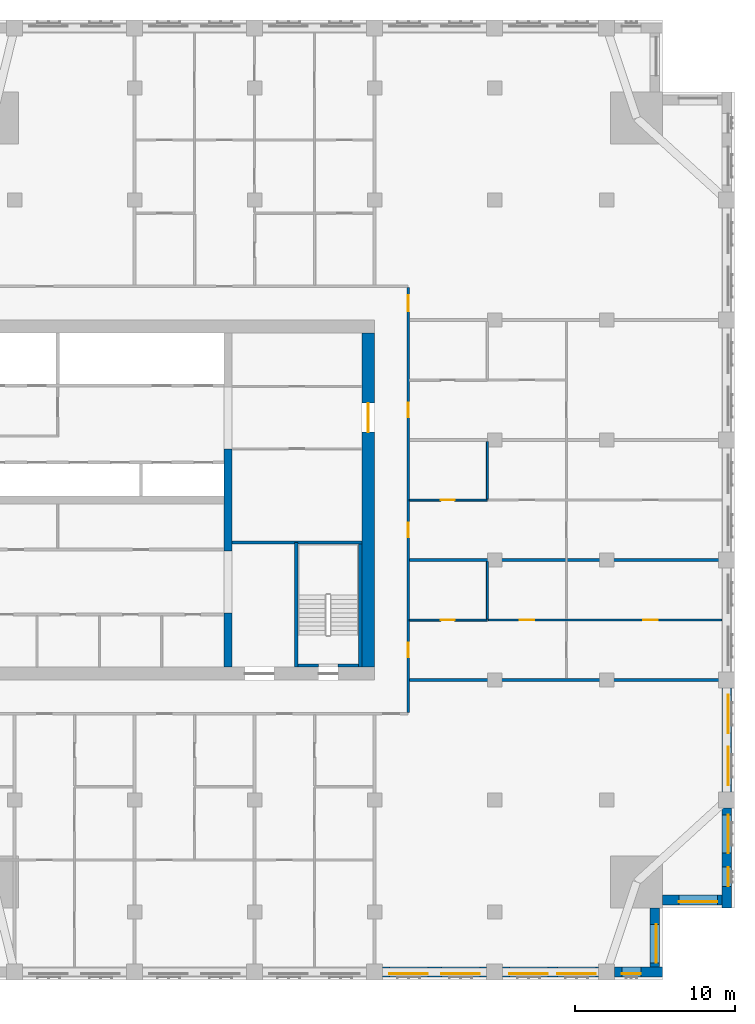
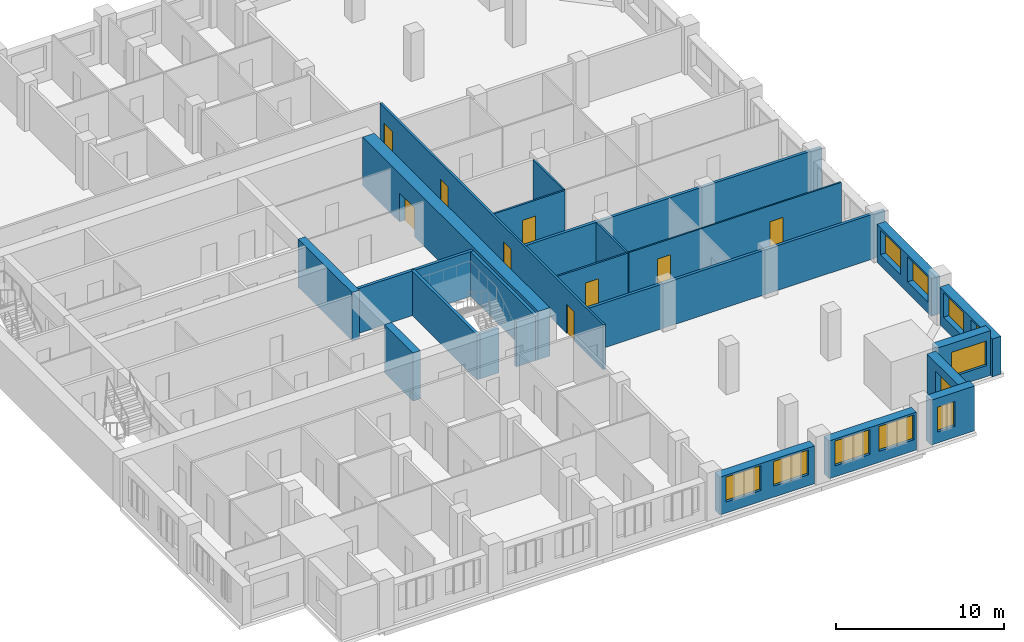
# One storey, part 8 of 14: 23 walls, 11 windows, 9 doors, 20 openings.
"""IFC4 building model written with IfcOpenShell, lengths in metres."""

from ifc_helpers import new_model, si_unit, direction, frame, frame_2d, origin, place, context, subcontext, project, spatial, rectangle, extrude, material, layer, layer_set, type_object, element, fill, save


model = new_model("IFC4")

# Units and contexts
model_context = context("Model", 3, precision=1e-05, world=origin(), true_north=direction((0.0, 1.0)))
body_context = subcontext(model_context, "Body", "Model", "MODEL_VIEW")
ifc_project = project(units=[si_unit("LENGTHUNIT", "METRE"), si_unit("AREAUNIT", "SQUARE_METRE"), si_unit("VOLUMEUNIT", "CUBIC_METRE"), si_unit("PLANEANGLEUNIT", "RADIAN"), si_unit("MASSUNIT", "GRAM", prefix="KILO")], contexts=[model_context])

# Site, building, storey
site_placement = place(None, origin())
site = spatial("IfcSite", under=ifc_project, at=site_placement, CompositionType="ELEMENT")
building_placement = place(site_placement, origin())
building = spatial("IfcBuilding", under=site, at=building_placement, Name="Tamorin Gate", CompositionType="ELEMENT")
storey_placement = place(building_placement, frame((0.0, 0.0, 186.199951171875)))
storey = spatial("IfcBuildingStorey", under=building, at=storey_placement, Name="L45", CompositionType="ELEMENT", Elevation=186.199951171875)

# Wall, openings, windows
ifc_material_1 = material(Name="Precast concrete C40/50", Category="concrete")
ifc_layer_1 = layer(ifc_material_1, 0.60009765625)
ifc_layer_set_1 = layer_set([ifc_layer_1], Name="Precast concrete C40/50")
wall_type_1 = type_object("IfcWallType", Name="Board-marked concrete facade panel 600", PredefinedType="SOLIDWALL", material=ifc_layer_set_1)
wall_1_placement = place(storey_placement, frame((60.5, 41.75, 0.0), z_axis=(0.0, 0.0, 1.0), x_axis=(1.0, 0.0, 0.0)))
wall_1 = element("IfcWall", 1, at=wall_1_placement, inside=storey, type_object=wall_type_1, Name="Facade panel", PredefinedType="SOLIDWALL", context=body_context, shape_type="SweptSolid", body=[
    extrude(rectangle(XDim=6.5, YDim=0.60009765625, at=frame_2d((3.25, 0.0))), origin(), (0.0, 0.0, 1.0), 2.75),
])
opening_1_placement = place(wall_1_placement, frame((0.425048828125, 0.0, 0.800048828125)))
opening_1 = element("IfcOpeningElement", 2, at=opening_1_placement, cuts=wall_1, Name="Opening WN1", PredefinedType="OPENING", context=body_context, shape_type="SweptSolid", body=[
    extrude(rectangle(XDim=2.39990234375, YDim=1.800048828125, at=frame_2d((1.199951171875, 0.89990234375))), frame((0.0, 0.31005859375, 0.0), z_axis=(0.0, -1.0, 0.0), x_axis=(1.0, 0.0, 0.0)), (0.0, 0.0, 1.0), 0.6201171875),
])
opening_2_placement = place(wall_1_placement, frame((3.675048828125, 0.0, 0.800048828125)))
opening_2 = element("IfcOpeningElement", 3, at=opening_2_placement, cuts=wall_1, Name="Opening WN1", PredefinedType="OPENING", context=body_context, shape_type="SweptSolid", body=[
    extrude(rectangle(XDim=2.39990234375, YDim=1.800048828125, at=frame_2d((1.199951171875, 0.89990234375))), frame((0.0, 0.31005859375, 0.0), z_axis=(0.0, -1.0, 0.0), x_axis=(1.0, 0.0, 0.0)), (0.0, 0.0, 1.0), 0.6201171875),
])
ifc_material_2 = material(Name="Clear glass in aluminium frame", Category="aluminium")
window_type_1 = type_object("IfcWindowType", Name="Deep-set window 2400x1800", PartitioningType="SINGLE_PANEL", PredefinedType="WINDOW", material=ifc_material_2)
window_1_placement = place(opening_1_placement, origin())
window_1 = element("IfcWindow", 4, at=window_1_placement, inside=storey, type_object=window_type_1, Name="Deep-set window", OverallHeight=1.800048828125, OverallWidth=2.39990234375, PartitioningType="SINGLE_PANEL", PredefinedType="WINDOW", context=body_context, shape_type="SweptSolid", body=[
    extrude(rectangle(XDim=2.39990234375, YDim=1.800048828125, at=frame_2d((1.199951171875, 0.89990234375))), frame((0.0, -0.070068359375, 0.0), z_axis=(0.0, -1.0, 0.0), x_axis=(1.0, 0.0, 0.0)), (0.0, 0.0, 1.0), 0.06005859375),
])
fill(opening_1, window_1)
window_2_placement = place(opening_2_placement, origin())
window_2 = element("IfcWindow", 5, at=window_2_placement, inside=storey, type_object=window_type_1, Name="Deep-set window", OverallHeight=1.800048828125, OverallWidth=2.39990234375, PartitioningType="SINGLE_PANEL", PredefinedType="WINDOW", context=body_context, shape_type="SweptSolid", body=[
    extrude(rectangle(XDim=2.39990234375, YDim=1.800048828125, at=frame_2d((1.199951171875, 0.89990234375))), frame((0.0, -0.070068359375, 0.0), z_axis=(0.0, -1.0, 0.0), x_axis=(1.0, 0.0, 0.0)), (0.0, 0.0, 1.0), 0.06005859375),
])
fill(opening_2, window_2)

wall_2_placement = place(storey_placement, frame((68.0, 41.75, 0.0), z_axis=(0.0, 0.0, 1.0), x_axis=(1.0, 0.0, 0.0)))
wall_2 = element("IfcWall", 6, at=wall_2_placement, inside=storey, type_object=wall_type_1, Name="Facade panel", PredefinedType="SOLIDWALL", context=body_context, shape_type="SweptSolid", body=[
    extrude(rectangle(XDim=6.0, YDim=0.60009765625, at=frame_2d((3.0, 0.0))), origin(), (0.0, 0.0, 1.0), 2.75),
])
opening_3_placement = place(wall_2_placement, frame((0.425048828125, 0.0, 0.800048828125)))
opening_3 = element("IfcOpeningElement", 7, at=opening_3_placement, cuts=wall_2, Name="Opening WN1", PredefinedType="OPENING", context=body_context, shape_type="SweptSolid", body=[
    extrude(rectangle(XDim=2.39990234375, YDim=1.800048828125, at=frame_2d((1.199951171875, 0.89990234375))), frame((0.0, 0.31005859375, 0.0), z_axis=(0.0, -1.0, 0.0), x_axis=(1.0, 0.0, 0.0)), (0.0, 0.0, 1.0), 0.6201171875),
])
opening_4_placement = place(wall_2_placement, frame((3.425048828125, 0.0, 0.800048828125)))
opening_4 = element("IfcOpeningElement", 8, at=opening_4_placement, cuts=wall_2, Name="Opening WN1", PredefinedType="OPENING", context=body_context, shape_type="SweptSolid", body=[
    extrude(rectangle(XDim=2.39990234375, YDim=1.800048828125, at=frame_2d((1.199951171875, 0.89990234375))), frame((0.0, 0.31005859375, 0.0), z_axis=(0.0, -1.0, 0.0), x_axis=(1.0, 0.0, 0.0)), (0.0, 0.0, 1.0), 0.6201171875),
])
window_3_placement = place(opening_3_placement, origin())
window_3 = element("IfcWindow", 9, at=window_3_placement, inside=storey, type_object=window_type_1, Name="Deep-set window", OverallHeight=1.800048828125, OverallWidth=2.39990234375, PartitioningType="SINGLE_PANEL", PredefinedType="WINDOW", context=body_context, shape_type="SweptSolid", body=[
    extrude(rectangle(XDim=2.39990234375, YDim=1.800048828125, at=frame_2d((1.199951171875, 0.89990234375))), frame((0.0, -0.070068359375, 0.0), z_axis=(0.0, -1.0, 0.0), x_axis=(1.0, 0.0, 0.0)), (0.0, 0.0, 1.0), 0.06005859375),
])
fill(opening_3, window_3)
window_4_placement = place(opening_4_placement, origin())
window_4 = element("IfcWindow", 10, at=window_4_placement, inside=storey, type_object=window_type_1, Name="Deep-set window", OverallHeight=1.800048828125, OverallWidth=2.39990234375, PartitioningType="SINGLE_PANEL", PredefinedType="WINDOW", context=body_context, shape_type="SweptSolid", body=[
    extrude(rectangle(XDim=2.39990234375, YDim=1.800048828125, at=frame_2d((1.199951171875, 0.89990234375))), frame((0.0, -0.070068359375, 0.0), z_axis=(0.0, -1.0, 0.0), x_axis=(1.0, 0.0, 0.0)), (0.0, 0.0, 1.0), 0.06005859375),
])
fill(opening_4, window_4)

# Wall, opening, window
wall_3_placement = place(storey_placement, frame((75.0, 41.75, 0.0), z_axis=(0.0, 0.0, 1.0), x_axis=(1.0, 0.0, 0.0)))
wall_3 = element("IfcWall", 11, at=wall_3_placement, inside=storey, type_object=wall_type_1, Name="Facade panel", PredefinedType="SOLIDWALL", context=body_context, shape_type="SweptSolid", body=[
    extrude(rectangle(XDim=3.0, YDim=0.60009765625, at=frame_2d((1.5, 0.0))), origin(), (0.0, 0.0, 1.0), 3.25),
])
opening_5_placement = place(wall_3_placement, frame((0.449951171875, 0.0, 0.800048828125)))
opening_5 = element("IfcOpeningElement", 12, at=opening_5_placement, cuts=wall_3, Name="Opening WN3", PredefinedType="OPENING", context=body_context, shape_type="SweptSolid", body=[
    extrude(rectangle(XDim=1.199951171875, YDim=1.800048828125, at=frame_2d((0.60009765625, 0.89990234375))), frame((0.0, 0.31005859375, 0.0), z_axis=(0.0, -1.0, 0.0), x_axis=(1.0, 0.0, 0.0)), (0.0, 0.0, 1.0), 0.6201171875),
])
window_type_2 = type_object("IfcWindowType", Name="Deep-set window 1200x1800", PartitioningType="SINGLE_PANEL", PredefinedType="WINDOW", material=ifc_material_2)
window_5_placement = place(opening_5_placement, origin())
window_5 = element("IfcWindow", 13, at=window_5_placement, inside=storey, type_object=window_type_2, Name="Deep-set window", OverallHeight=1.800048828125, OverallWidth=1.199951171875, PartitioningType="SINGLE_PANEL", PredefinedType="WINDOW", context=body_context, shape_type="SweptSolid", body=[
    extrude(rectangle(XDim=1.199951171875, YDim=1.800048828125, at=frame_2d((0.60009765625, 0.89990234375))), frame((0.0, -0.070068359375, 0.0), z_axis=(0.0, -1.0, 0.0), x_axis=(1.0, 0.0, 0.0)), (0.0, 0.0, 1.0), 0.06005859375),
])
fill(opening_5, window_5)

wall_4_placement = place(storey_placement, frame((77.5, 42.050048828125, 0.0), z_axis=(0.0, 0.0, 1.0), x_axis=(0.0, 1.0, 0.0)))
wall_4 = element("IfcWall", 14, at=wall_4_placement, inside=storey, type_object=wall_type_1, Name="Facade panel", PredefinedType="SOLIDWALL", context=body_context, shape_type="SweptSolid", body=[
    extrude(rectangle(XDim=3.699951171875, YDim=0.60009765625, at=frame_2d((1.85009765625, 0.0))), origin(), (0.0, 0.0, 1.0), 3.25),
])
opening_6_placement = place(wall_4_placement, frame((0.27490234375, 0.0, 0.800048828125)))
opening_6 = element("IfcOpeningElement", 15, at=opening_6_placement, cuts=wall_4, Name="Opening WN1", PredefinedType="OPENING", context=body_context, shape_type="SweptSolid", body=[
    extrude(rectangle(XDim=2.39990234375, YDim=1.800048828125, at=frame_2d((1.199951171875, 0.89990234375))), frame((0.0, 0.31005859375, 0.0), z_axis=(0.0, -1.0, 0.0), x_axis=(1.0, 0.0, 0.0)), (0.0, 0.0, 1.0), 0.6201171875),
])
window_6_placement = place(opening_6_placement, origin())
window_6 = element("IfcWindow", 16, at=window_6_placement, inside=storey, type_object=window_type_1, Name="Deep-set window", OverallHeight=1.800048828125, OverallWidth=2.39990234375, PartitioningType="SINGLE_PANEL", PredefinedType="WINDOW", context=body_context, shape_type="SweptSolid", body=[
    extrude(rectangle(XDim=2.39990234375, YDim=1.800048828125, at=frame_2d((1.199951171875, 0.89990234375))), frame((0.0, -0.070068359375, 0.0), z_axis=(0.0, -1.0, 0.0), x_axis=(1.0, 0.0, 0.0)), (0.0, 0.0, 1.0), 0.06005859375),
])
fill(opening_6, window_6)

wall_5_placement = place(storey_placement, frame((78.0, 46.25, 0.0), z_axis=(0.0, 0.0, 1.0), x_axis=(1.0, 0.0, 0.0)))
wall_5 = element("IfcWall", 17, at=wall_5_placement, inside=storey, type_object=wall_type_1, Name="Facade panel", PredefinedType="SOLIDWALL", context=body_context, shape_type="SweptSolid", body=[
    extrude(rectangle(XDim=3.699951171875, YDim=0.60009765625, at=frame_2d((1.85009765625, 0.0))), origin(), (0.0, 0.0, 1.0), 3.25),
])
opening_7_placement = place(wall_5_placement, frame((1.02490234375, 0.0, 0.800048828125)))
opening_7 = element("IfcOpeningElement", 18, at=opening_7_placement, cuts=wall_5, Name="Opening WN1", PredefinedType="OPENING", context=body_context, shape_type="SweptSolid", body=[
    extrude(rectangle(XDim=2.39990234375, YDim=1.800048828125, at=frame_2d((1.199951171875, 0.89990234375))), frame((0.0, 0.31005859375, 0.0), z_axis=(0.0, -1.0, 0.0), x_axis=(1.0, 0.0, 0.0)), (0.0, 0.0, 1.0), 0.6201171875),
])
window_7_placement = place(opening_7_placement, origin())
window_7 = element("IfcWindow", 19, at=window_7_placement, inside=storey, type_object=window_type_1, Name="Deep-set window", OverallHeight=1.800048828125, OverallWidth=2.39990234375, PartitioningType="SINGLE_PANEL", PredefinedType="WINDOW", context=body_context, shape_type="SweptSolid", body=[
    extrude(rectangle(XDim=2.39990234375, YDim=1.800048828125, at=frame_2d((1.199951171875, 0.89990234375))), frame((0.0, -0.070068359375, 0.0), z_axis=(0.0, -1.0, 0.0), x_axis=(1.0, 0.0, 0.0)), (0.0, 0.0, 1.0), 0.06005859375),
])
fill(opening_7, window_7)

# Wall, openings, windows
wall_6_placement = place(storey_placement, frame((82.0, 45.75, 0.0), z_axis=(0.0, 0.0, 1.0), x_axis=(0.0, 1.0, 0.0)))
wall_6 = element("IfcWall", 20, at=wall_6_placement, inside=storey, type_object=wall_type_1, Name="Facade panel", PredefinedType="SOLIDWALL", context=body_context, shape_type="SweptSolid", body=[
    extrude(rectangle(XDim=6.25, YDim=0.60009765625, at=frame_2d((3.125, 0.0))), origin(), (0.0, 0.0, 1.0), 2.75),
])
opening_8_placement = place(wall_6_placement, frame((1.35009765625, 0.0, 0.800048828125)))
opening_8 = element("IfcOpeningElement", 21, at=opening_8_placement, cuts=wall_6, Name="Opening WN3", PredefinedType="OPENING", context=body_context, shape_type="SweptSolid", body=[
    extrude(rectangle(XDim=1.199951171875, YDim=1.800048828125, at=frame_2d((0.60009765625, 0.89990234375))), frame((0.0, 0.31005859375, 0.0), z_axis=(0.0, -1.0, 0.0), x_axis=(1.0, 0.0, 0.0)), (0.0, 0.0, 1.0), 0.6201171875),
])
opening_9_placement = place(wall_6_placement, frame((3.425048828125, 0.0, 0.800048828125)))
opening_9 = element("IfcOpeningElement", 22, at=opening_9_placement, cuts=wall_6, Name="Opening WN1", PredefinedType="OPENING", context=body_context, shape_type="SweptSolid", body=[
    extrude(rectangle(XDim=2.39990234375, YDim=1.800048828125, at=frame_2d((1.199951171875, 0.89990234375))), frame((0.0, 0.31005859375, 0.0), z_axis=(0.0, -1.0, 0.0), x_axis=(1.0, 0.0, 0.0)), (0.0, 0.0, 1.0), 0.6201171875),
])
window_8_placement = place(opening_8_placement, origin())
window_8 = element("IfcWindow", 23, at=window_8_placement, inside=storey, type_object=window_type_2, Name="Deep-set window", OverallHeight=1.800048828125, OverallWidth=1.199951171875, PartitioningType="SINGLE_PANEL", PredefinedType="WINDOW", context=body_context, shape_type="SweptSolid", body=[
    extrude(rectangle(XDim=1.199951171875, YDim=1.800048828125, at=frame_2d((0.60009765625, 0.89990234375))), frame((0.0, -0.070068359375, 0.0), z_axis=(0.0, -1.0, 0.0), x_axis=(1.0, 0.0, 0.0)), (0.0, 0.0, 1.0), 0.06005859375),
])
fill(opening_8, window_8)
window_9_placement = place(opening_9_placement, origin())
window_9 = element("IfcWindow", 24, at=window_9_placement, inside=storey, type_object=window_type_1, Name="Deep-set window", OverallHeight=1.800048828125, OverallWidth=2.39990234375, PartitioningType="SINGLE_PANEL", PredefinedType="WINDOW", context=body_context, shape_type="SweptSolid", body=[
    extrude(rectangle(XDim=2.39990234375, YDim=1.800048828125, at=frame_2d((1.199951171875, 0.89990234375))), frame((0.0, -0.070068359375, 0.0), z_axis=(0.0, -1.0, 0.0), x_axis=(1.0, 0.0, 0.0)), (0.0, 0.0, 1.0), 0.06005859375),
])
fill(opening_9, window_9)

wall_7_placement = place(storey_placement, frame((82.0, 53.0, 0.0), z_axis=(0.0, 0.0, 1.0), x_axis=(0.0, 1.0, 0.0)))
wall_7 = element("IfcWall", 25, at=wall_7_placement, inside=storey, type_object=wall_type_1, Name="Facade panel", PredefinedType="SOLIDWALL", context=body_context, shape_type="SweptSolid", body=[
    extrude(rectangle(XDim=6.5, YDim=0.60009765625, at=frame_2d((3.25, 0.0))), origin(), (0.0, 0.0, 1.0), 2.75),
])
opening_10_placement = place(wall_7_placement, frame((0.425048828125, 0.0, 0.800048828125)))
opening_10 = element("IfcOpeningElement", 26, at=opening_10_placement, cuts=wall_7, Name="Opening WN1", PredefinedType="OPENING", context=body_context, shape_type="SweptSolid", body=[
    extrude(rectangle(XDim=2.39990234375, YDim=1.800048828125, at=frame_2d((1.199951171875, 0.89990234375))), frame((0.0, 0.31005859375, 0.0), z_axis=(0.0, -1.0, 0.0), x_axis=(1.0, 0.0, 0.0)), (0.0, 0.0, 1.0), 0.6201171875),
])
opening_11_placement = place(wall_7_placement, frame((3.675048828125, 0.0, 0.800048828125)))
opening_11 = element("IfcOpeningElement", 27, at=opening_11_placement, cuts=wall_7, Name="Opening WN1", PredefinedType="OPENING", context=body_context, shape_type="SweptSolid", body=[
    extrude(rectangle(XDim=2.39990234375, YDim=1.800048828125, at=frame_2d((1.199951171875, 0.89990234375))), frame((0.0, 0.31005859375, 0.0), z_axis=(0.0, -1.0, 0.0), x_axis=(1.0, 0.0, 0.0)), (0.0, 0.0, 1.0), 0.6201171875),
])
window_10_placement = place(opening_10_placement, origin())
window_10 = element("IfcWindow", 28, at=window_10_placement, inside=storey, type_object=window_type_1, Name="Deep-set window", OverallHeight=1.800048828125, OverallWidth=2.39990234375, PartitioningType="SINGLE_PANEL", PredefinedType="WINDOW", context=body_context, shape_type="SweptSolid", body=[
    extrude(rectangle(XDim=2.39990234375, YDim=1.800048828125, at=frame_2d((1.199951171875, 0.89990234375))), frame((0.0, -0.070068359375, 0.0), z_axis=(0.0, -1.0, 0.0), x_axis=(1.0, 0.0, 0.0)), (0.0, 0.0, 1.0), 0.06005859375),
])
fill(opening_10, window_10)
window_11_placement = place(opening_11_placement, origin())
window_11 = element("IfcWindow", 29, at=window_11_placement, inside=storey, type_object=window_type_1, Name="Deep-set window", OverallHeight=1.800048828125, OverallWidth=2.39990234375, PartitioningType="SINGLE_PANEL", PredefinedType="WINDOW", context=body_context, shape_type="SweptSolid", body=[
    extrude(rectangle(XDim=2.39990234375, YDim=1.800048828125, at=frame_2d((1.199951171875, 0.89990234375))), frame((0.0, -0.070068359375, 0.0), z_axis=(0.0, -1.0, 0.0), x_axis=(1.0, 0.0, 0.0)), (0.0, 0.0, 1.0), 0.06005859375),
])
fill(opening_11, window_11)

# Wall, openings, doors
ifc_material_3 = material(Name="Gypsum board partition")
ifc_layer_2 = layer(ifc_material_3, 0.14990234375)
ifc_layer_set_2 = layer_set([ifc_layer_2], Name="Corridor wall 150")
wall_type_2 = type_object("IfcWallType", Name="Corridor wall 150", PredefinedType="PARTITIONING", material=ifc_layer_set_2)
wall_8_placement = place(storey_placement, frame((62.10009765625, 57.97509765625, 0.0), z_axis=(0.0, 0.0, 1.0), x_axis=(0.0, 1.0, 0.0)))
wall_8 = element("IfcWall", 30, at=wall_8_placement, inside=storey, type_object=wall_type_2, Name="Corridor wall 150", PredefinedType="PARTITIONING", context=body_context, shape_type="SweptSolid", body=[
    extrude(rectangle(XDim=26.5498046875, YDim=0.14990234375, at=frame_2d((13.27490234375, 0.0))), origin(), (0.0, 0.0, 1.0), 3.25),
])
opening_12_placement = place(wall_8_placement, frame((25.074951171875, 0.0, 0.0)))
opening_12 = element("IfcOpeningElement", 31, at=opening_12_placement, cuts=wall_8, Name="Opening DR3033", PredefinedType="OPENING", context=body_context, shape_type="SweptSolid", body=[
    extrude(rectangle(XDim=1.0, YDim=2.10009765625, at=frame_2d((0.5, 1.050048828125))), frame((0.0, 0.0849609375, 0.0), z_axis=(0.0, -1.0, 0.0), x_axis=(1.0, 0.0, 0.0)), (0.0, 0.0, 1.0), 0.169921875),
])
opening_13_placement = place(wall_8_placement, frame((3.449951171875, 0.0, 0.0)))
opening_13 = element("IfcOpeningElement", 32, at=opening_13_placement, cuts=wall_8, Name="Opening DR3034", PredefinedType="OPENING", context=body_context, shape_type="SweptSolid", body=[
    extrude(rectangle(XDim=0.89990234375, YDim=2.10009765625, at=frame_2d((0.449951171875, 1.050048828125))), frame((0.0, 0.0849609375, 0.0), z_axis=(0.0, -1.0, 0.0), x_axis=(1.0, 0.0, 0.0)), (0.0, 0.0, 1.0), 0.169921875),
])
opening_14_placement = place(wall_8_placement, frame((10.949951171875, 0.0, 0.0)))
opening_14 = element("IfcOpeningElement", 33, at=opening_14_placement, cuts=wall_8, Name="Opening DR3039", PredefinedType="OPENING", context=body_context, shape_type="SweptSolid", body=[
    extrude(rectangle(XDim=0.89990234375, YDim=2.10009765625, at=frame_2d((0.449951171875, 1.050048828125))), frame((0.0, 0.0849609375, 0.0), z_axis=(0.0, -1.0, 0.0), x_axis=(1.0, 0.0, 0.0)), (0.0, 0.0, 1.0), 0.169921875),
])
opening_15_placement = place(wall_8_placement, frame((18.449951171875, 0.0, 0.0)))
opening_15 = element("IfcOpeningElement", 34, at=opening_15_placement, cuts=wall_8, Name="Opening DR3044", PredefinedType="OPENING", context=body_context, shape_type="SweptSolid", body=[
    extrude(rectangle(XDim=0.89990234375, YDim=2.10009765625, at=frame_2d((0.449951171875, 1.050048828125))), frame((0.0, 0.0849609375, 0.0), z_axis=(0.0, -1.0, 0.0), x_axis=(1.0, 0.0, 0.0)), (0.0, 0.0, 1.0), 0.169921875),
])
ifc_material_4 = material(Name="Timber door leaf", Category="wood")
door_type_1 = type_object("IfcDoorType", Name="Door 1000 x 2100 FD30S", OperationType="NOTDEFINED", PredefinedType="DOOR", material=ifc_material_4)
door_1_placement = place(opening_12_placement, origin())
door_1 = element("IfcDoor", 35, at=door_1_placement, inside=storey, type_object=door_type_1, Name="Door DR3033", OperationType="SINGLE_SWING_RIGHT", OverallHeight=2.10009765625, OverallWidth=1.0, PredefinedType="DOOR", context=body_context, shape_type="SweptSolid", body=[
    extrude(rectangle(XDim=1.0, YDim=2.10009765625, at=frame_2d((0.5, 1.050048828125))), frame((0.0, 0.02490234375, 0.0), z_axis=(0.0, -1.0, 0.0), x_axis=(1.0, 0.0, 0.0)), (0.0, 0.0, 1.0), 0.050048828125),
])
fill(opening_12, door_1)
door_type_2 = type_object("IfcDoorType", Name="Door 900 x 2100 FD30S", OperationType="NOTDEFINED", PredefinedType="DOOR", material=ifc_material_4)
door_2_placement = place(opening_13_placement, origin())
door_2 = element("IfcDoor", 36, at=door_2_placement, inside=storey, type_object=door_type_2, Name="Door DR3034", OperationType="SINGLE_SWING_RIGHT", OverallHeight=2.10009765625, OverallWidth=0.89990234375, PredefinedType="DOOR", context=body_context, shape_type="SweptSolid", body=[
    extrude(rectangle(XDim=0.89990234375, YDim=2.10009765625, at=frame_2d((0.449951171875, 1.050048828125))), frame((0.0, 0.02490234375, 0.0), z_axis=(0.0, -1.0, 0.0), x_axis=(1.0, 0.0, 0.0)), (0.0, 0.0, 1.0), 0.050048828125),
])
fill(opening_13, door_2)
door_3_placement = place(opening_14_placement, origin())
door_3 = element("IfcDoor", 37, at=door_3_placement, inside=storey, type_object=door_type_2, Name="Door DR3039", OperationType="SINGLE_SWING_RIGHT", OverallHeight=2.10009765625, OverallWidth=0.89990234375, PredefinedType="DOOR", context=body_context, shape_type="SweptSolid", body=[
    extrude(rectangle(XDim=0.89990234375, YDim=2.10009765625, at=frame_2d((0.449951171875, 1.050048828125))), frame((0.0, 0.02490234375, 0.0), z_axis=(0.0, -1.0, 0.0), x_axis=(1.0, 0.0, 0.0)), (0.0, 0.0, 1.0), 0.050048828125),
])
fill(opening_14, door_3)
door_4_placement = place(opening_15_placement, origin())
door_4 = element("IfcDoor", 38, at=door_4_placement, inside=storey, type_object=door_type_2, Name="Door DR3044", OperationType="SINGLE_SWING_RIGHT", OverallHeight=2.10009765625, OverallWidth=0.89990234375, PredefinedType="DOOR", context=body_context, shape_type="SweptSolid", body=[
    extrude(rectangle(XDim=0.89990234375, YDim=2.10009765625, at=frame_2d((0.449951171875, 1.050048828125))), frame((0.0, 0.02490234375, 0.0), z_axis=(0.0, -1.0, 0.0), x_axis=(1.0, 0.0, 0.0)), (0.0, 0.0, 1.0), 0.050048828125),
])
fill(opening_15, door_4)

# Walls
ifc_layer_3 = layer(ifc_material_3, 0.199951171875)
ifc_layer_set_3 = layer_set([ifc_layer_3], Name="Demising wall 200")
wall_type_3 = type_object("IfcWallType", Name="Demising wall 200", PredefinedType="PARTITIONING", material=ifc_layer_set_3)
for number, where, z_axis, x_axis, name in (
    (39, (62.175048828125, 60.0, 0.0), (0.0, 0.0, 1.0), (1.0, 0.0, 0.0), "Demising wall 200"),
    (40, (62.175048828125, 67.5, 0.0), (0.0, 0.0, 1.0), (1.0, 0.0, 0.0), "Demising wall 200"),
):
    element("IfcWall", number, at=place(storey_placement, frame(where, z_axis=z_axis, x_axis=x_axis)), inside=storey, type_object=wall_type_3, Name=name, PredefinedType="PARTITIONING", context=body_context, shape_type="SweptSolid", body=[
        extrude(rectangle(XDim=20.324951171875, YDim=0.199951171875, at=frame_2d((10.16259765625, 0.0))), origin(), (0.0, 0.0, 1.0), 3.25),
    ])
ifc_material_5 = material(Name="Concrete C60/75", Category="concrete")
ifc_layer_4 = layer(ifc_material_5, 0.5)
ifc_layer_set_4 = layer_set([ifc_layer_4], Name="RC core internal wall 500 C60/75")
wall_type_4 = type_object("IfcWallType", Name="RC core internal wall 500 C60/75", PredefinedType="SHEAR", material=ifc_layer_set_4)
wall_9_placement = place(storey_placement, frame((50.85009765625, 60.800048828125, 0.0), z_axis=(0.0, 0.0, 1.0), x_axis=(0.0, 1.0, 0.0)))
element("IfcWall", 41, at=wall_9_placement, inside=storey, type_object=wall_type_4, Name="Core cross wall L45", PredefinedType="SHEAR", context=body_context, shape_type="SweptSolid", body=[
    extrude(rectangle(XDim=3.39990234375, YDim=0.5, at=frame_2d((1.699951171875, 0.0))), origin(), (0.0, 0.0, 1.0), 3.5),
])
wall_10_placement = place(storey_placement, frame((50.85009765625, 68.050048828125, 0.0), z_axis=(0.0, 0.0, 1.0), x_axis=(0.0, 1.0, 0.0)))
element("IfcWall", 42, at=wall_10_placement, inside=storey, type_object=wall_type_4, Name="Core cross wall L45", PredefinedType="SHEAR", context=body_context, shape_type="SweptSolid", body=[
    extrude(rectangle(XDim=6.39990234375, YDim=0.5, at=frame_2d((3.199951171875, 0.0))), origin(), (0.0, 0.0, 1.0), 3.5),
])

# Wall, opening, door
ifc_layer_5 = layer(ifc_material_5, 0.800048828125)
ifc_layer_set_5 = layer_set([ifc_layer_5], Name="RC core wall 800 C60/75")
wall_type_5 = type_object("IfcWallType", Name="RC core wall 800 C60/75", PredefinedType="SHEAR", material=ifc_layer_set_5)
wall_11_placement = place(storey_placement, frame((59.60009765625, 60.800048828125, 0.0), z_axis=(0.0, 0.0, 1.0), x_axis=(0.0, 1.0, 0.0)))
wall_11 = element("IfcWall", 43, at=wall_11_placement, inside=storey, type_object=wall_type_5, Name="Core wall L45", PredefinedType="SHEAR", context=body_context, shape_type="SweptSolid", body=[
    extrude(rectangle(XDim=20.89990234375, YDim=0.800048828125, at=frame_2d((10.449951171875, 0.0))), origin(), (0.0, 0.0, 1.0), 3.5),
])
opening_16_placement = place(wall_11_placement, frame((14.699951171875, 0.0, 0.0)))
opening_16 = element("IfcOpeningElement", 44, at=opening_16_placement, cuts=wall_11, Name="Opening DE1", PredefinedType="OPENING", context=body_context, shape_type="SweptSolid", body=[
    extrude(rectangle(XDim=1.800048828125, YDim=2.10009765625, at=frame_2d((0.89990234375, 1.050048828125))), frame((0.0, 0.409912109375, 0.0), z_axis=(0.0, -1.0, 0.0), x_axis=(1.0, 0.0, 0.0)), (0.0, 0.0, 1.0), 0.820068359375),
])
ifc_material_6 = material(Name="Steel fire door", Category="steel")
door_type_3 = type_object("IfcDoorType", Name="Lobby exit double door 1800 x 2100 EI 60", OperationType="DOUBLE_DOOR_SINGLE_SWING", PredefinedType="DOOR", material=ifc_material_6)
door_5_placement = place(opening_16_placement, origin())
door_5 = element("IfcDoor", 45, at=door_5_placement, inside=storey, type_object=door_type_3, Name="Lift lobby B exit door", OperationType="DOUBLE_DOOR_SINGLE_SWING", OverallHeight=2.10009765625, OverallWidth=1.800048828125, PredefinedType="DOOR", context=body_context, shape_type="SweptSolid", body=[
    extrude(rectangle(XDim=1.800048828125, YDim=2.10009765625, at=frame_2d((0.89990234375, 1.050048828125))), frame((0.0, 0.02490234375, 0.0), z_axis=(0.0, -1.0, 0.0), x_axis=(1.0, 0.0, 0.0)), (0.0, 0.0, 1.0), 0.050048828125),
])
fill(opening_16, door_5)

# Wall, openings, doors
ifc_layer_6 = layer(ifc_material_3, 0.10009765625)
ifc_layer_set_6 = layer_set([ifc_layer_6], Name="Room partition 100")
wall_type_6 = type_object("IfcWallType", Name="Room partition 100", PredefinedType="PARTITIONING", material=ifc_layer_set_6)
wall_12_placement = place(storey_placement, frame((67.112548828125, 63.75, 0.0), z_axis=(0.0, 0.0, 1.0), x_axis=(1.0, 0.0, 0.0)))
wall_12 = element("IfcWall", 46, at=wall_12_placement, inside=storey, type_object=wall_type_6, Name="Room partition 100", PredefinedType="PARTITIONING", context=body_context, shape_type="SweptSolid", body=[
    extrude(rectangle(XDim=14.577392578125, YDim=0.10009765625, at=frame_2d((7.28857421875, 0.0))), origin(), (0.0, 0.0, 1.0), 3.25),
])
opening_17_placement = place(wall_12_placement, frame((1.96240234375, 0.0, 0.0)))
opening_17 = element("IfcOpeningElement", 47, at=opening_17_placement, cuts=wall_12, Name="Opening DR3036", PredefinedType="OPENING", context=body_context, shape_type="SweptSolid", body=[
    extrude(rectangle(XDim=0.89990234375, YDim=2.10009765625, at=frame_2d((0.449951171875, 1.050048828125))), frame((0.0, 0.06005859375, 0.0), z_axis=(0.0, -1.0, 0.0), x_axis=(1.0, 0.0, 0.0)), (0.0, 0.0, 1.0), 0.1201171875),
])
opening_18_placement = place(wall_12_placement, frame((9.6875, 0.0, 0.0)))
opening_18 = element("IfcOpeningElement", 48, at=opening_18_placement, cuts=wall_12, Name="Opening DR3038", PredefinedType="OPENING", context=body_context, shape_type="SweptSolid", body=[
    extrude(rectangle(XDim=0.89990234375, YDim=2.10009765625, at=frame_2d((0.449951171875, 1.050048828125))), frame((0.0, 0.06005859375, 0.0), z_axis=(0.0, -1.0, 0.0), x_axis=(1.0, 0.0, 0.0)), (0.0, 0.0, 1.0), 0.1201171875),
])
door_type_4 = type_object("IfcDoorType", Name="Door 900 x 2100", OperationType="NOTDEFINED", PredefinedType="DOOR", material=ifc_material_4)
door_6_placement = place(opening_17_placement, origin())
door_6 = element("IfcDoor", 49, at=door_6_placement, inside=storey, type_object=door_type_4, Name="Door DR3036", OperationType="SINGLE_SWING_LEFT", OverallHeight=2.10009765625, OverallWidth=0.89990234375, PredefinedType="DOOR", context=body_context, shape_type="SweptSolid", body=[
    extrude(rectangle(XDim=0.89990234375, YDim=2.10009765625, at=frame_2d((0.449951171875, 1.050048828125))), frame((0.0, 0.02490234375, 0.0), z_axis=(0.0, -1.0, 0.0), x_axis=(1.0, 0.0, 0.0)), (0.0, 0.0, 1.0), 0.050048828125),
])
fill(opening_17, door_6)
door_7_placement = place(opening_18_placement, origin())
door_7 = element("IfcDoor", 50, at=door_7_placement, inside=storey, type_object=door_type_4, Name="Door DR3038", OperationType="SINGLE_SWING_RIGHT", OverallHeight=2.10009765625, OverallWidth=0.89990234375, PredefinedType="DOOR", context=body_context, shape_type="SweptSolid", body=[
    extrude(rectangle(XDim=0.89990234375, YDim=2.10009765625, at=frame_2d((0.449951171875, 1.050048828125))), frame((0.0, 0.02490234375, 0.0), z_axis=(0.0, -1.0, 0.0), x_axis=(1.0, 0.0, 0.0)), (0.0, 0.0, 1.0), 0.050048828125),
])
fill(opening_18, door_7)

# Walls
ifc_material_7 = material(Name="Concrete C40/50", Category="concrete")
ifc_layer_7 = layer(ifc_material_7, 0.199951171875)
ifc_layer_set_7 = layer_set([ifc_layer_7], Name="Stair enclosure wall 200 EI 120 C40/50")
wall_type_7 = type_object("IfcWallType", Name="Stair enclosure wall 200 EI 120 C40/50", PredefinedType="SOLIDWALL", material=ifc_layer_set_7)
wall_13_placement = place(storey_placement, frame((55.10009765625, 60.800048828125, 0.0), z_axis=(0.0, 0.0, 1.0), x_axis=(0.0, 1.0, 0.0)))
element("IfcWall", 51, at=wall_13_placement, inside=storey, type_object=wall_type_7, Name="Stair enclosure wall", PredefinedType="SOLIDWALL", context=body_context, shape_type="SweptSolid", body=[
    extrude(rectangle(XDim=7.800048828125, YDim=0.199951171875, at=frame_2d((3.89990234375, 0.0))), origin(), (0.0, 0.0, 1.0), 3.25),
])
wall_14_placement = place(storey_placement, frame((51.10009765625, 68.60009765625, 0.0), z_axis=(0.0, 0.0, 1.0), x_axis=(1.0, 0.0, 0.0)))
element("IfcWall", 52, at=wall_14_placement, inside=storey, type_object=wall_type_7, Name="Stair enclosure wall", PredefinedType="SOLIDWALL", context=body_context, shape_type="SweptSolid", body=[
    extrude(rectangle(XDim=8.099853515625, YDim=0.199951171875, at=frame_2d((4.0498046875, 0.0))), origin(), (0.0, 0.0, 1.0), 3.25),
])
ifc_layer_8 = layer(ifc_material_5, 0.199951171875)
ifc_layer_set_8 = layer_set([ifc_layer_8], Name="Stair lining wall 200 EI 120 C60/75")
wall_type_8 = type_object("IfcWallType", Name="Stair lining wall 200 EI 120 C60/75", PredefinedType="SOLIDWALL", material=ifc_layer_set_8)
for number, where, z_axis, x_axis, name in (
    (53, (55.199951171875, 60.89990234375, 0.0), (0.0, 0.0, 1.0), (1.0, 0.0, 0.0), "Stair lining wall"),
    (54, (57.699951171875, 60.89990234375, 0.0), (0.0, 0.0, 1.0), (1.0, 0.0, 0.0), "Stair lining wall"),
):
    element("IfcWall", number, at=place(storey_placement, frame(where, z_axis=z_axis, x_axis=x_axis)), inside=storey, type_object=wall_type_8, Name=name, PredefinedType="SOLIDWALL", context=body_context, shape_type="SweptSolid", body=[
        extrude(rectangle(XDim=1.300048828125, YDim=0.199951171875, at=frame_2d((0.64990234375, 0.0))), origin(), (0.0, 0.0, 1.0), 3.25),
    ])
wall_15_placement = place(storey_placement, frame((59.10009765625, 60.800048828125, 0.0), z_axis=(0.0, 0.0, 1.0), x_axis=(0.0, 1.0, 0.0)))
element("IfcWall", 55, at=wall_15_placement, inside=storey, type_object=wall_type_8, Name="Stair lining wall", PredefinedType="SOLIDWALL", context=body_context, shape_type="SweptSolid", body=[
    extrude(rectangle(XDim=7.699951171875, YDim=0.199951171875, at=frame_2d((3.85009765625, 0.0))), origin(), (0.0, 0.0, 1.0), 3.25),
])

# Wall, opening, door
ifc_layer_9 = layer(ifc_material_3, 0.125)
ifc_layer_set_9 = layer_set([ifc_layer_9], Name="Wet wall 125")
wall_type_9 = type_object("IfcWallType", Name="Wet wall 125", PredefinedType="PARTITIONING", material=ifc_layer_set_9)
wall_16_placement = place(storey_placement, frame((62.175048828125, 63.75, 0.0), z_axis=(0.0, 0.0, 1.0), x_axis=(1.0, 0.0, 0.0)))
wall_16 = element("IfcWall", 56, at=wall_16_placement, inside=storey, type_object=wall_type_9, Name="Wet wall 125", PredefinedType="PARTITIONING", context=body_context, shape_type="SweptSolid", body=[
    extrude(rectangle(XDim=4.875, YDim=0.125, at=frame_2d((2.4375, 0.0))), origin(), (0.0, 0.0, 1.0), 3.25),
])
opening_19_placement = place(wall_16_placement, frame((1.949951171875, 0.0, 0.0)))
opening_19 = element("IfcOpeningElement", 57, at=opening_19_placement, cuts=wall_16, Name="Opening DR3037", PredefinedType="OPENING", context=body_context, shape_type="SweptSolid", body=[
    extrude(rectangle(XDim=0.89990234375, YDim=2.10009765625, at=frame_2d((0.449951171875, 1.050048828125))), frame((0.0, 0.072509765625, 0.0), z_axis=(0.0, -1.0, 0.0), x_axis=(1.0, 0.0, 0.0)), (0.0, 0.0, 1.0), 0.14501953125),
])
door_8_placement = place(opening_19_placement, origin())
door_8 = element("IfcDoor", 58, at=door_8_placement, inside=storey, type_object=door_type_4, Name="Door DR3037", OperationType="SINGLE_SWING_RIGHT", OverallHeight=2.10009765625, OverallWidth=0.89990234375, PredefinedType="DOOR", context=body_context, shape_type="SweptSolid", body=[
    extrude(rectangle(XDim=0.89990234375, YDim=2.10009765625, at=frame_2d((0.449951171875, 1.050048828125))), frame((0.0, 0.02490234375, 0.0), z_axis=(0.0, -1.0, 0.0), x_axis=(1.0, 0.0, 0.0)), (0.0, 0.0, 1.0), 0.050048828125),
])
fill(opening_19, door_8)

wall_17_placement = place(storey_placement, frame((62.175048828125, 71.25, 0.0), z_axis=(0.0, 0.0, 1.0), x_axis=(1.0, 0.0, 0.0)))
wall_17 = element("IfcWall", 59, at=wall_17_placement, inside=storey, type_object=wall_type_9, Name="Wet wall 125", PredefinedType="PARTITIONING", context=body_context, shape_type="SweptSolid", body=[
    extrude(rectangle(XDim=4.875, YDim=0.125, at=frame_2d((2.4375, 0.0))), origin(), (0.0, 0.0, 1.0), 3.25),
])
opening_20_placement = place(wall_17_placement, frame((1.949951171875, 0.0, 0.0)))
opening_20 = element("IfcOpeningElement", 60, at=opening_20_placement, cuts=wall_17, Name="Opening DR3042", PredefinedType="OPENING", context=body_context, shape_type="SweptSolid", body=[
    extrude(rectangle(XDim=0.89990234375, YDim=2.10009765625, at=frame_2d((0.449951171875, 1.050048828125))), frame((0.0, 0.072509765625, 0.0), z_axis=(0.0, -1.0, 0.0), x_axis=(1.0, 0.0, 0.0)), (0.0, 0.0, 1.0), 0.14501953125),
])
door_9_placement = place(opening_20_placement, origin())
door_9 = element("IfcDoor", 61, at=door_9_placement, inside=storey, type_object=door_type_4, Name="Door DR3042", OperationType="SINGLE_SWING_RIGHT", OverallHeight=2.10009765625, OverallWidth=0.89990234375, PredefinedType="DOOR", context=body_context, shape_type="SweptSolid", body=[
    extrude(rectangle(XDim=0.89990234375, YDim=2.10009765625, at=frame_2d((0.449951171875, 1.050048828125))), frame((0.0, 0.02490234375, 0.0), z_axis=(0.0, -1.0, 0.0), x_axis=(1.0, 0.0, 0.0)), (0.0, 0.0, 1.0), 0.050048828125),
])
fill(opening_20, door_9)

# Walls
for number, where, z_axis, x_axis, name in (
    (62, (67.050048828125, 63.8125, 0.0), (0.0, 0.0, 1.0), (0.0, 1.0, 0.0), "Wet wall 125"),
    (63, (67.050048828125, 71.3125, 0.0), (0.0, 0.0, 1.0), (0.0, 1.0, 0.0), "Wet wall 125"),
):
    element("IfcWall", number, at=place(storey_placement, frame(where, z_axis=z_axis, x_axis=x_axis)), inside=storey, type_object=wall_type_9, Name=name, PredefinedType="PARTITIONING", context=body_context, shape_type="SweptSolid", body=[
        extrude(rectangle(XDim=3.58740234375, YDim=0.125, at=frame_2d((1.793701171875, 0.0))), origin(), (0.0, 0.0, 1.0), 3.25),
    ])

save(model, "model.ifc")
